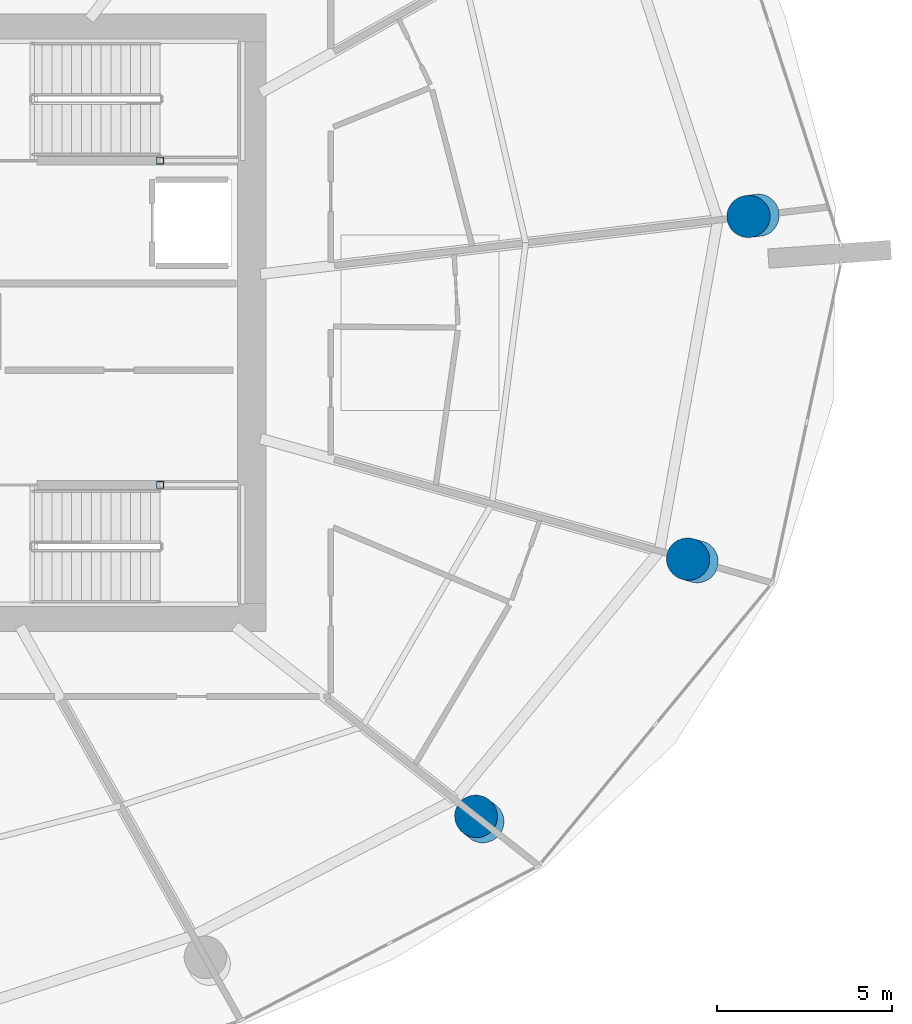
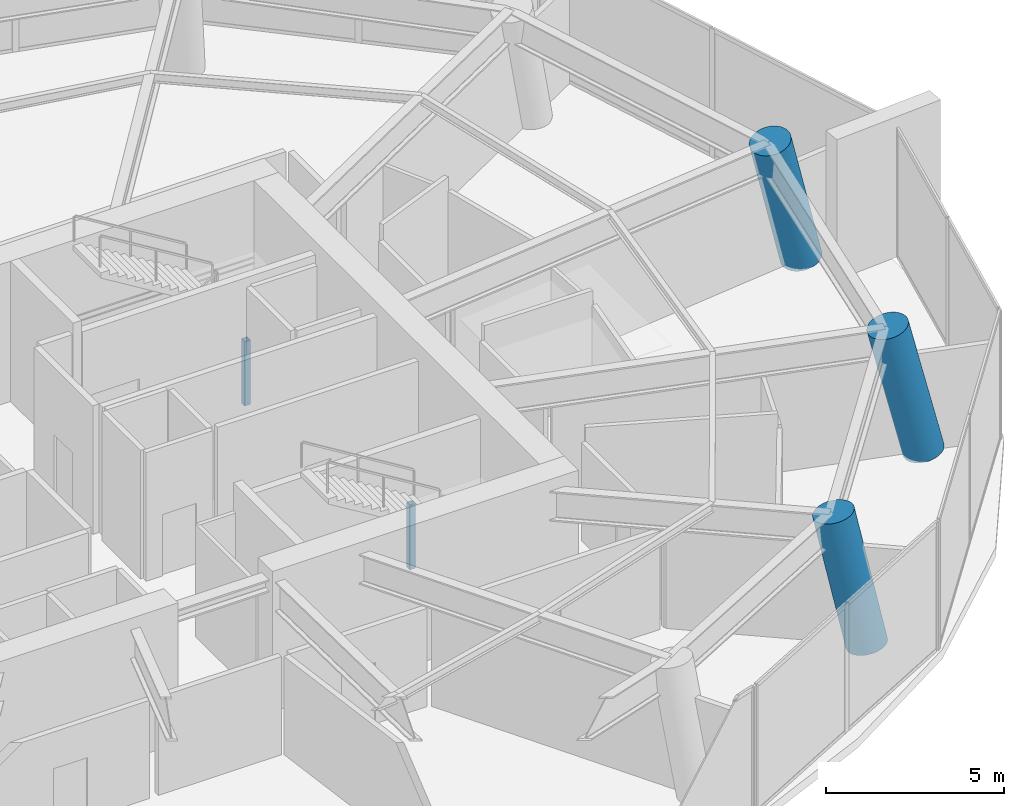
# One storey, part 3 of 16: 5 columns.
"""IFC4 building model written with IfcOpenShell, lengths in metres."""

from ifc_helpers import new_model, si_unit, direction, frame, origin, origin_2d, place, context, subcontext, project, spatial, hollow_rectangle, circle, extrude, material, material_profile, profile_set, type_object, element, save


model = new_model("IFC4")

# Units and contexts
model_context = context("Model", 3, precision=1e-05, world=origin(), true_north=direction((0.0, 1.0)))
body_context = subcontext(model_context, "Body", "Model", "MODEL_VIEW")
ifc_project = project(units=[si_unit("LENGTHUNIT", "METRE"), si_unit("AREAUNIT", "SQUARE_METRE"), si_unit("VOLUMEUNIT", "CUBIC_METRE"), si_unit("PLANEANGLEUNIT", "RADIAN"), si_unit("MASSUNIT", "GRAM", prefix="KILO")], contexts=[model_context])

# Site, building, storey
site_placement = place(None, origin())
site = spatial("IfcSite", under=ifc_project, at=site_placement, CompositionType="ELEMENT")
building_placement = place(site_placement, origin())
building = spatial("IfcBuilding", under=site, at=building_placement, Name="Kazma Halo Residences", CompositionType="ELEMENT")
storey_placement = place(building_placement, frame((0.0, 0.0, 123.0)))
storey = spatial("IfcBuildingStorey", under=building, at=storey_placement, Name="L30", CompositionType="ELEMENT", Elevation=123.0)

# Columns
ifc_material_1 = material(Name="Steel S355", Category="steel")
ifc_material_profile_1 = material_profile(ifc_material_1, hollow_rectangle(XDim=0.199951171875, YDim=0.199951171875, WallThickness=0.010009765625, InnerFilletRadius=0.010009765625, OuterFilletRadius=0.02001953125, at=origin_2d()), Name="SHS200x200x10")
ifc_profile_set_1 = profile_set([ifc_material_profile_1], Name="Steel S355")
column_type_1 = type_object("IfcColumnType", Name="COL-LP-SHS200", PredefinedType="COLUMN", material=ifc_profile_set_1)
for number, where, z_axis, x_axis, name in (
    (1, (56.840087890625, 46.6201171875, 0.0), (0.0, 0.0, 1.0), (1.0, 0.0, 0.0), "L30 ST-02 landing pilaster 1"),
    (2, (56.840087890625, 37.3798828125, 0.0), (0.0, 0.0, 1.0), (1.0, 0.0, 0.0), "L30 ST-03 landing pilaster 1"),
):
    element("IfcColumn", number, at=place(storey_placement, frame(where, z_axis=z_axis, x_axis=x_axis)), inside=storey, type_object=column_type_1, Name=name, PredefinedType="COLUMN", context=body_context, shape_type="SweptSolid", body=[
        extrude(hollow_rectangle(XDim=0.199951171875, YDim=0.199951171875, WallThickness=0.010009765625, InnerFilletRadius=0.010009765625, OuterFilletRadius=0.02001953125, at=origin_2d()), origin(), (0.0, 0.0, 1.0), 2.195068359375),
    ])
ifc_material_2 = material(Name="Concrete C80/95", Category="concrete")
ifc_material_profile_2 = material_profile(ifc_material_2, circle(Radius=0.60009765625, at=origin_2d()), Name="CIRC1200")
ifc_profile_set_2 = profile_set([ifc_material_profile_2], Name="Concrete C80/95")
column_type_2 = type_object("IfcColumnType", Name="COL-PERIM-1200", PredefinedType="COLUMN", material=ifc_profile_set_2)
column_1_placement = place(storey_placement, frame((66.04541015625, 27.774169921875, 0.0), z_axis=(-0.165180945589, 0.130191878297, 0.977632512778), x_axis=(-0.619016887192, -0.785377675625, 0.0)))
element("IfcColumn", 3, at=column_1_placement, inside=storey, type_object=column_type_2, Name="L30 perimeter ring column P14", PredefinedType="COLUMN", context=body_context, shape_type="SweptSolid", body=[
    extrude(circle(Radius=0.60009765625, at=origin_2d()), origin(), (0.0, 0.0, 1.0), 4.50048828125),
])
column_2_placement = place(storey_placement, frame((72.155517578125, 35.1875, 0.0), z_axis=(-0.220171122763, 0.062064921505, 0.973484782737), x_axis=(-0.271319947566, -0.962489213473, 0.0)))
element("IfcColumn", 4, at=column_2_placement, inside=storey, type_object=column_type_2, Name="L30 perimeter ring column P15", PredefinedType="COLUMN", context=body_context, shape_type="SweptSolid", body=[
    extrude(circle(Radius=0.60009765625, at=origin_2d()), origin(), (0.0, 0.0, 1.0), 4.519775390625),
])
column_3_placement = place(storey_placement, frame((73.897216796875, 45.065185546875, 0.0), z_axis=(-0.235611885109, -0.027868072432, 0.971447584862), x_axis=(0.117460782169, -0.993077521975, 0.0)))
element("IfcColumn", 5, at=column_3_placement, inside=storey, type_object=column_type_2, Name="L30 perimeter ring column P16", PredefinedType="COLUMN", context=body_context, shape_type="SweptSolid", body=[
    extrude(circle(Radius=0.60009765625, at=origin_2d()), origin(), (0.0, 0.0, 1.0), 4.529296875),
])

save(model, "model.ifc")
